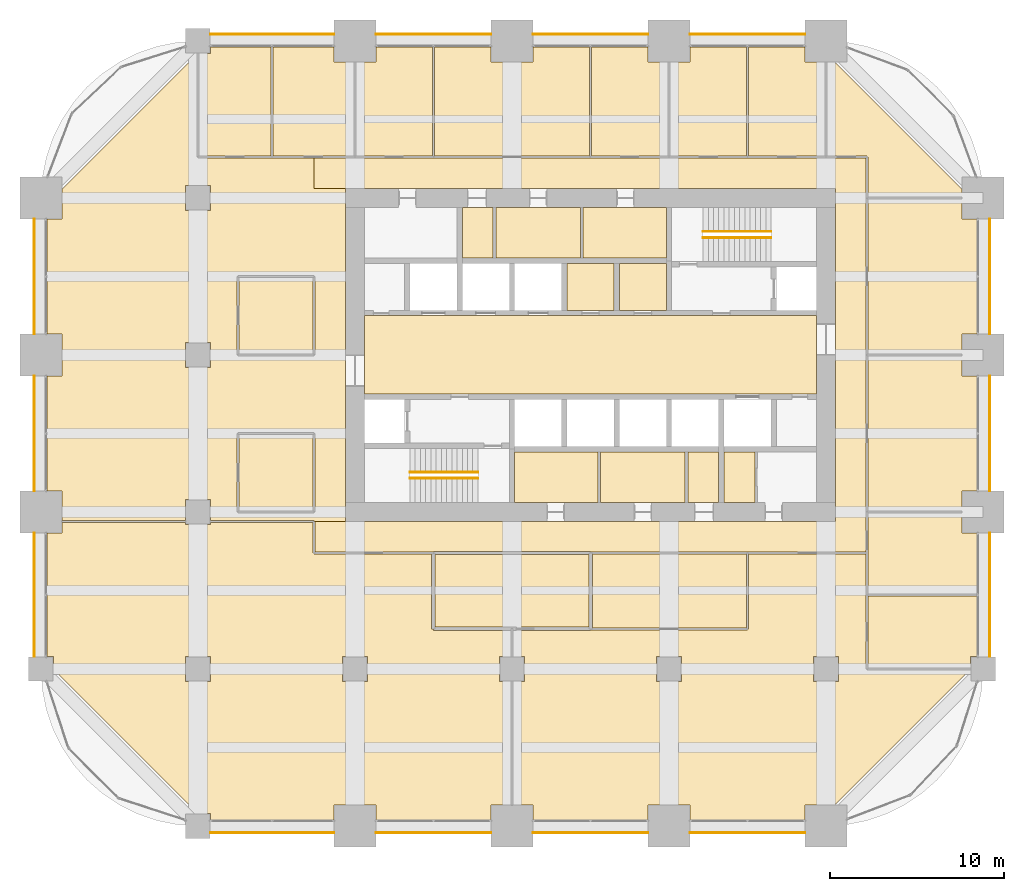
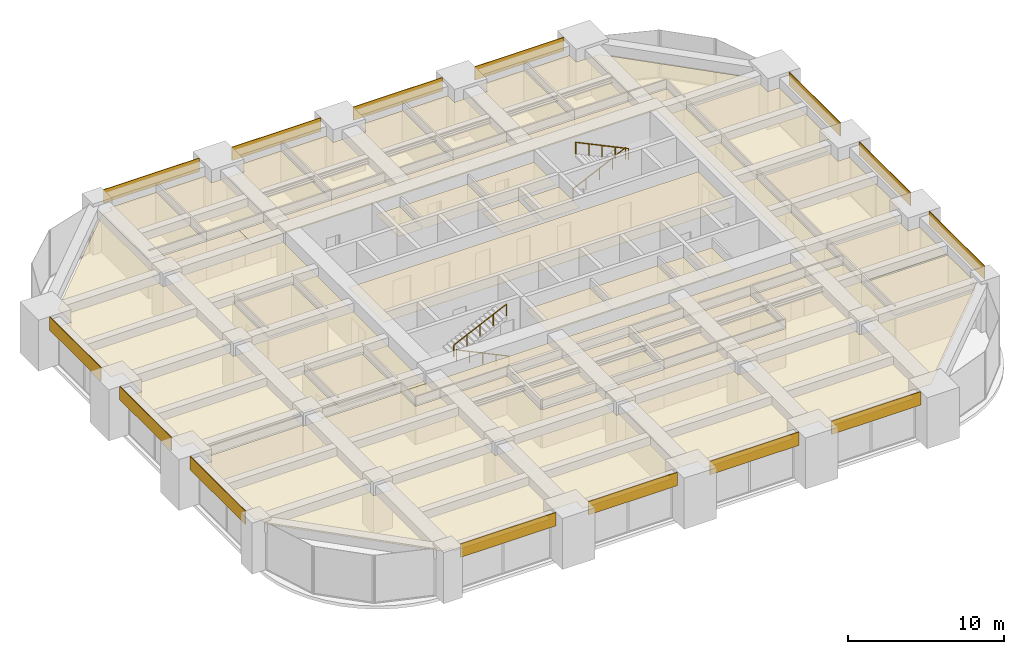
# One storey, part 32 of 32: 44 coverings, 4 railings.
"""IFC4 building model written with IfcOpenShell, lengths in metres."""

from ifc_helpers import new_model, si_unit, direction, frame, frame_2d, origin, origin_2d, place, context, subcontext, project, spatial, polyline, rectangle, circle, outline, extrude, material, layer, layer_set, type_object, element, save


model = new_model("IFC4")

# Units and contexts
model_context = context("Model", 3, precision=1e-05, world=origin(), true_north=direction((0.0, 1.0)))
body_context = subcontext(model_context, "Body", "Model", "MODEL_VIEW")
ifc_project = project(units=[si_unit("LENGTHUNIT", "METRE"), si_unit("AREAUNIT", "SQUARE_METRE"), si_unit("VOLUMEUNIT", "CUBIC_METRE"), si_unit("PLANEANGLEUNIT", "RADIAN"), si_unit("MASSUNIT", "GRAM", prefix="KILO")], contexts=[model_context])

# Site, building, storey
site_placement = place(None, origin())
site = spatial("IfcSite", under=ifc_project, at=site_placement, CompositionType="ELEMENT")
building_placement = place(site_placement, origin())
building = spatial("IfcBuilding", under=site, at=building_placement, Name="Zorevar Civic Tower", CompositionType="ELEMENT")
storey_placement = place(building_placement, frame((0.0, 0.0, 202.199951171875)))
storey = spatial("IfcBuildingStorey", under=building, at=storey_placement, Name="L49", CompositionType="ELEMENT", Elevation=202.199951171875)

# Railings
ifc_material_1 = material(Name="Black steel handrail", Category="steel")
railing_type = type_object("IfcRailingType", Name="Handrail HR1 900", PredefinedType="HANDRAIL", material=ifc_material_1)
railing_1_placement = place(storey_placement, frame((25.050048828125, 19.925048828125, 0.142822265625)))
element("IfcRailing", 1, at=railing_1_placement, inside=storey, type_object=railing_type, Name="Handrail HR1 ST1 L49", PredefinedType="HANDRAIL", context=body_context, shape_type="SweptSolid", body=[
    extrude(circle(Radius=0.02392578125, at=origin_2d()), frame((0.0, 0.0, 0.8759765625), z_axis=(-0.902863652845, 0.0, 0.429926998885), x_axis=(0.0, -1.0, 0.0)), (0.0, 0.0, 1.0), 4.31982421875),
    extrude(circle(Radius=0.02099609375, at=origin_2d()), origin(), (0.0, 0.0, 1.0), 0.851806640625),
    extrude(circle(Radius=0.02099609375, at=origin_2d()), frame((-0.97509765625, 0.0, 0.46435546875)), (0.0, 0.0, 1.0), 0.851806640625),
    extrude(circle(Radius=0.02099609375, at=origin_2d()), frame((-1.9501953125, 0.0, 0.9287109375)), (0.0, 0.0, 1.0), 0.851806640625),
    extrude(circle(Radius=0.02099609375, at=origin_2d()), frame((-2.925048828125, 0.0, 1.392822265625)), (0.0, 0.0, 1.0), 0.851806640625),
    extrude(circle(Radius=0.02099609375, at=origin_2d()), frame((-3.900146484375, 0.0, 1.857177734375)), (0.0, 0.0, 1.0), 0.851806640625),
])
for number, where, name in (
    (2, (21.14990234375, 20.27490234375, 2.142822265625), "Handrail HR1 ST1 L49"),
    (3, (37.949951171875, 34.074951171875, 0.142822265625), "Handrail HR1 ST2 L49"),
):
    element("IfcRailing", number, at=place(storey_placement, frame(where)), inside=storey, type_object=railing_type, Name=name, PredefinedType="HANDRAIL", context=body_context, shape_type="SweptSolid", body=[
        extrude(circle(Radius=0.02392578125, at=origin_2d()), frame((0.0, 0.0, 0.8759765625), z_axis=(0.902863652845, 0.0, 0.429926998885), x_axis=(0.0, 1.0, 0.0)), (0.0, 0.0, 1.0), 4.31982421875),
        extrude(circle(Radius=0.02099609375, at=origin_2d()), origin(), (0.0, 0.0, 1.0), 0.851806640625),
        extrude(circle(Radius=0.02099609375, at=origin_2d()), frame((0.97509765625, 0.0, 0.46435546875)), (0.0, 0.0, 1.0), 0.851806640625),
        extrude(circle(Radius=0.02099609375, at=origin_2d()), frame((1.9501953125, 0.0, 0.9287109375)), (0.0, 0.0, 1.0), 0.851806640625),
        extrude(circle(Radius=0.02099609375, at=origin_2d()), frame((2.925048828125, 0.0, 1.392822265625)), (0.0, 0.0, 1.0), 0.851806640625),
        extrude(circle(Radius=0.02099609375, at=origin_2d()), frame((3.900146484375, 0.0, 1.857177734375)), (0.0, 0.0, 1.0), 0.851806640625),
    ])
railing_2_placement = place(storey_placement, frame((41.85009765625, 33.72509765625, 2.142822265625)))
element("IfcRailing", 4, at=railing_2_placement, inside=storey, type_object=railing_type, Name="Handrail HR1 ST2 L49", PredefinedType="HANDRAIL", context=body_context, shape_type="SweptSolid", body=[
    extrude(circle(Radius=0.02392578125, at=origin_2d()), frame((0.0, 0.0, 0.8759765625), z_axis=(-0.902863652845, 0.0, 0.429926998885), x_axis=(0.0, -1.0, 0.0)), (0.0, 0.0, 1.0), 4.31982421875),
    extrude(circle(Radius=0.02099609375, at=origin_2d()), origin(), (0.0, 0.0, 1.0), 0.851806640625),
    extrude(circle(Radius=0.02099609375, at=origin_2d()), frame((-0.97509765625, 0.0, 0.46435546875)), (0.0, 0.0, 1.0), 0.851806640625),
    extrude(circle(Radius=0.02099609375, at=origin_2d()), frame((-1.9501953125, 0.0, 0.9287109375)), (0.0, 0.0, 1.0), 0.851806640625),
    extrude(circle(Radius=0.02099609375, at=origin_2d()), frame((-2.925048828125, 0.0, 1.392822265625)), (0.0, 0.0, 1.0), 0.851806640625),
    extrude(circle(Radius=0.02099609375, at=origin_2d()), frame((-3.900146484375, 0.0, 1.857177734375)), (0.0, 0.0, 1.0), 0.851806640625),
])

# Coverings
ifc_material_2 = material(Name="Moisture-resistant gypsum board")
ifc_layer_1 = layer(ifc_material_2, 0.012451171875)
ifc_layer_set_1 = layer_set([ifc_layer_1], Name="Moisture-resistant ceiling SC3")
covering_type_1 = type_object("IfcCoveringType", Name="Moisture-resistant ceiling SC3", PredefinedType="CEILING", material=ifc_layer_set_1)
covering_1_placement = place(storey_placement, frame((0.0, 0.0, 3.0)))
element("IfcCovering", 5, at=covering_1_placement, inside=storey, type_object=covering_type_1, Name="Ceiling L49-05", PredefinedType="CEILING", context=body_context, shape_type="SweptSolid", body=[
    extrude(outline(polyline([(31.925048828125, 18.550048828125), (31.925048828125, 21.449951171875), (27.14990234375, 21.449951171875), (27.14990234375, 18.550048828125), (31.925048828125, 18.550048828125)])), origin(), (0.0, 0.0, 1.0), 0.012451171875),
])
covering_2_placement = place(storey_placement, frame((0.0, 0.0, 3.0)))
element("IfcCovering", 6, at=covering_2_placement, inside=storey, type_object=covering_type_1, Name="Ceiling L49-06", PredefinedType="CEILING", context=body_context, shape_type="SweptSolid", body=[
    extrude(outline(polyline([(36.925048828125, 18.550048828125), (36.925048828125, 21.449951171875), (32.074951171875, 21.449951171875), (32.074951171875, 18.550048828125), (36.925048828125, 18.550048828125)])), origin(), (0.0, 0.0, 1.0), 0.012451171875),
])
covering_3_placement = place(storey_placement, frame((0.0, 0.0, 3.0)))
element("IfcCovering", 7, at=covering_3_placement, inside=storey, type_object=covering_type_1, Name="Ceiling L49-07", PredefinedType="CEILING", context=body_context, shape_type="SweptSolid", body=[
    extrude(outline(polyline([(38.85009765625, 18.550048828125), (38.85009765625, 21.449951171875), (37.074951171875, 21.449951171875), (37.074951171875, 18.550048828125), (38.85009765625, 18.550048828125)])), origin(), (0.0, 0.0, 1.0), 0.012451171875),
])
covering_4_placement = place(storey_placement, frame((0.0, 0.0, 3.0)))
element("IfcCovering", 8, at=covering_4_placement, inside=storey, type_object=covering_type_1, Name="Ceiling L49-08", PredefinedType="CEILING", context=body_context, shape_type="SweptSolid", body=[
    extrude(outline(polyline([(35.85009765625, 32.550048828125), (35.85009765625, 35.449951171875), (31.074951171875, 35.449951171875), (31.074951171875, 32.550048828125), (35.85009765625, 32.550048828125)])), origin(), (0.0, 0.0, 1.0), 0.012451171875),
])
covering_5_placement = place(storey_placement, frame((0.0, 0.0, 3.0)))
element("IfcCovering", 9, at=covering_5_placement, inside=storey, type_object=covering_type_1, Name="Ceiling L49-09", PredefinedType="CEILING", context=body_context, shape_type="SweptSolid", body=[
    extrude(outline(polyline([(30.925048828125, 32.550048828125), (30.925048828125, 35.449951171875), (26.074951171875, 35.449951171875), (26.074951171875, 32.550048828125), (30.925048828125, 32.550048828125)])), origin(), (0.0, 0.0, 1.0), 0.012451171875),
])
covering_6_placement = place(storey_placement, frame((0.0, 0.0, 3.0)))
element("IfcCovering", 10, at=covering_6_placement, inside=storey, type_object=covering_type_1, Name="Ceiling L49-10", PredefinedType="CEILING", context=body_context, shape_type="SweptSolid", body=[
    extrude(outline(polyline([(25.925048828125, 32.550048828125), (25.925048828125, 35.449951171875), (24.14990234375, 35.449951171875), (24.14990234375, 32.550048828125), (25.925048828125, 32.550048828125)])), origin(), (0.0, 0.0, 1.0), 0.012451171875),
])
ifc_material_3 = material(Name="Black anodised aluminium spandrel panel", Category="aluminium")
ifc_layer_2 = layer(ifc_material_3, 0.050048828125)
ifc_layer_set_2 = layer_set([ifc_layer_2], Name="Spandrel cladding SP1")
covering_type_2 = type_object("IfcCoveringType", Name="Spandrel cladding SP1", PredefinedType="CLADDING", material=ifc_layer_set_2)
covering_7_placement = place(storey_placement, frame((9.699951171875, -0.375, 2.949951171875), z_axis=(0.0, 0.0, 1.0), x_axis=(1.0, 0.0, 0.0)))
element("IfcCovering", 11, at=covering_7_placement, inside=storey, type_object=covering_type_2, Name="Spandrel cladding L50", PredefinedType="CLADDING", context=body_context, shape_type="SweptSolid", body=[
    extrude(rectangle(XDim=7.10009765625, YDim=0.050048828125, at=frame_2d((3.550048828125, 0.0))), origin(), (0.0, 0.0, 1.0), 1.050048828125),
])
for number, where, z_axis, x_axis, name in (
    (12, (19.199951171875, -0.375, 2.949951171875), (0.0, 0.0, 1.0), (1.0, 0.0, 0.0), "Spandrel cladding L50"),
    (13, (28.199951171875, -0.375, 2.949951171875), (0.0, 0.0, 1.0), (1.0, 0.0, 0.0), "Spandrel cladding L50"),
    (14, (37.199951171875, -0.375, 2.949951171875), (0.0, 0.0, 1.0), (1.0, 0.0, 0.0), "Spandrel cladding L50"),
):
    element("IfcCovering", number, at=place(storey_placement, frame(where, z_axis=z_axis, x_axis=x_axis)), inside=storey, type_object=covering_type_2, Name=name, PredefinedType="CLADDING", context=body_context, shape_type="SweptSolid", body=[
        extrude(rectangle(XDim=6.60009765625, YDim=0.050048828125, at=frame_2d((3.300048828125, 0.0))), origin(), (0.0, 0.0, 1.0), 1.050048828125),
    ])
covering_8_placement = place(storey_placement, frame((9.699951171875, 45.375, 2.949951171875), z_axis=(0.0, 0.0, 1.0), x_axis=(1.0, 0.0, 0.0)))
element("IfcCovering", 15, at=covering_8_placement, inside=storey, type_object=covering_type_2, Name="Spandrel cladding L50", PredefinedType="CLADDING", context=body_context, shape_type="SweptSolid", body=[
    extrude(rectangle(XDim=7.10009765625, YDim=0.050048828125, at=frame_2d((3.550048828125, 0.0))), origin(), (0.0, 0.0, 1.0), 1.050048828125),
])
for number, where, z_axis, x_axis, name in (
    (16, (19.199951171875, 45.375, 2.949951171875), (0.0, 0.0, 1.0), (1.0, 0.0, 0.0), "Spandrel cladding L50"),
    (17, (28.199951171875, 45.375, 2.949951171875), (0.0, 0.0, 1.0), (1.0, 0.0, 0.0), "Spandrel cladding L50"),
    (18, (37.199951171875, 45.375, 2.949951171875), (0.0, 0.0, 1.0), (1.0, 0.0, 0.0), "Spandrel cladding L50"),
):
    element("IfcCovering", number, at=place(storey_placement, frame(where, z_axis=z_axis, x_axis=x_axis)), inside=storey, type_object=covering_type_2, Name=name, PredefinedType="CLADDING", context=body_context, shape_type="SweptSolid", body=[
        extrude(rectangle(XDim=6.60009765625, YDim=0.050048828125, at=frame_2d((3.300048828125, 0.0))), origin(), (0.0, 0.0, 1.0), 1.050048828125),
    ])
covering_9_placement = place(storey_placement, frame((-0.375, 9.699951171875, 2.949951171875), z_axis=(0.0, 0.0, 1.0), x_axis=(0.0, 1.0, 0.0)))
element("IfcCovering", 19, at=covering_9_placement, inside=storey, type_object=covering_type_2, Name="Spandrel cladding L50", PredefinedType="CLADDING", context=body_context, shape_type="SweptSolid", body=[
    extrude(rectangle(XDim=7.10009765625, YDim=0.050048828125, at=frame_2d((3.550048828125, 0.0))), origin(), (0.0, 0.0, 1.0), 1.050048828125),
])
for number, where, z_axis, x_axis, name in (
    (20, (-0.375, 19.199951171875, 2.949951171875), (0.0, 0.0, 1.0), (0.0, 1.0, 0.0), "Spandrel cladding L50"),
    (21, (-0.375, 28.199951171875, 2.949951171875), (0.0, 0.0, 1.0), (0.0, 1.0, 0.0), "Spandrel cladding L50"),
):
    element("IfcCovering", number, at=place(storey_placement, frame(where, z_axis=z_axis, x_axis=x_axis)), inside=storey, type_object=covering_type_2, Name=name, PredefinedType="CLADDING", context=body_context, shape_type="SweptSolid", body=[
        extrude(rectangle(XDim=6.60009765625, YDim=0.050048828125, at=frame_2d((3.300048828125, 0.0))), origin(), (0.0, 0.0, 1.0), 1.050048828125),
    ])
covering_10_placement = place(storey_placement, frame((54.375, 9.699951171875, 2.949951171875), z_axis=(0.0, 0.0, 1.0), x_axis=(0.0, 1.0, 0.0)))
element("IfcCovering", 22, at=covering_10_placement, inside=storey, type_object=covering_type_2, Name="Spandrel cladding L50", PredefinedType="CLADDING", context=body_context, shape_type="SweptSolid", body=[
    extrude(rectangle(XDim=7.10009765625, YDim=0.050048828125, at=frame_2d((3.550048828125, 0.0))), origin(), (0.0, 0.0, 1.0), 1.050048828125),
])
for number, where, z_axis, x_axis, name in (
    (23, (54.375, 19.199951171875, 2.949951171875), (0.0, 0.0, 1.0), (0.0, 1.0, 0.0), "Spandrel cladding L50"),
    (24, (54.375, 28.199951171875, 2.949951171875), (0.0, 0.0, 1.0), (0.0, 1.0, 0.0), "Spandrel cladding L50"),
):
    element("IfcCovering", number, at=place(storey_placement, frame(where, z_axis=z_axis, x_axis=x_axis)), inside=storey, type_object=covering_type_2, Name=name, PredefinedType="CLADDING", context=body_context, shape_type="SweptSolid", body=[
        extrude(rectangle(XDim=6.60009765625, YDim=0.050048828125, at=frame_2d((3.300048828125, 0.0))), origin(), (0.0, 0.0, 1.0), 1.050048828125),
    ])
ifc_material_4 = material(Name="Mineral fibre tiles on a concealed grid")
ifc_layer_3 = layer(ifc_material_4, 0.02001953125)
ifc_layer_set_3 = layer_set([ifc_layer_3], Name="Suspended ceiling SC1")
covering_type_3 = type_object("IfcCoveringType", Name="Suspended ceiling SC1", PredefinedType="CEILING", material=ifc_layer_set_3)
covering_11_placement = place(storey_placement, frame((0.0, 0.0, 3.0)))
element("IfcCovering", 25, at=covering_11_placement, inside=storey, type_object=covering_type_3, Name="Ceiling L49-11", PredefinedType="CEILING", context=body_context, shape_type="SweptSolid", body=[
    extrude(outline(polyline([(40.93994140625, 18.550048828125), (40.93994140625, 21.449951171875), (39.14990234375, 21.449951171875), (39.14990234375, 18.550048828125), (40.93994140625, 18.550048828125)])), origin(), (0.0, 0.0, 1.0), 0.02001953125),
])
covering_12_placement = place(storey_placement, frame((0.0, 0.0, 3.0)))
element("IfcCovering", 26, at=covering_12_placement, inside=storey, type_object=covering_type_3, Name="Ceiling L49-16", PredefinedType="CEILING", context=body_context, shape_type="SweptSolid", body=[
    extrude(outline(polyline([(44.449951171875, 24.75), (44.449951171875, 29.25), (18.550048828125, 29.25), (18.550048828125, 24.75), (44.449951171875, 24.75)])), origin(), (0.0, 0.0, 1.0), 0.02001953125),
])
covering_13_placement = place(storey_placement, frame((0.0, 0.0, 3.0)))
element("IfcCovering", 27, at=covering_13_placement, inside=storey, type_object=covering_type_3, Name="Ceiling L49-17", PredefinedType="CEILING", context=body_context, shape_type="SweptSolid", body=[
    extrude(outline(polyline([(35.85009765625, 29.550048828125), (35.85009765625, 32.25), (33.14990234375, 32.25), (33.14990234375, 29.550048828125), (35.85009765625, 29.550048828125)])), origin(), (0.0, 0.0, 1.0), 0.02001953125),
])
covering_14_placement = place(storey_placement, frame((0.0, 0.0, 3.0)))
element("IfcCovering", 28, at=covering_14_placement, inside=storey, type_object=covering_type_3, Name="Ceiling L49-18", PredefinedType="CEILING", context=body_context, shape_type="SweptSolid", body=[
    extrude(outline(polyline([(32.85009765625, 29.550048828125), (32.85009765625, 32.25), (30.14990234375, 32.25), (30.14990234375, 29.550048828125), (32.85009765625, 29.550048828125)])), origin(), (0.0, 0.0, 1.0), 0.02001953125),
])
covering_15_placement = place(storey_placement, frame((0.0, 0.0, 3.0)))
element("IfcCovering", 29, at=covering_15_placement, inside=storey, type_object=covering_type_3, Name="Ceiling L49-19", PredefinedType="CEILING", context=body_context, shape_type="SweptSolid", body=[
    extrude(outline(polyline([(9.06005859375, 38.409912109375), (9.06005859375, 44.2900390625), (9.7099609375, 44.2900390625), (9.7099609375, 44.64990234375), (13.18994140625, 44.64990234375), (13.18994140625, 38.409912109375), (9.06005859375, 38.409912109375)])), origin(), (0.0, 0.0, 1.0), 0.02001953125),
])
covering_16_placement = place(storey_placement, frame((0.0, 0.0, 3.0)))
element("IfcCovering", 30, at=covering_16_placement, inside=storey, type_object=covering_type_3, Name="Ceiling L49-20", PredefinedType="CEILING", context=body_context, shape_type="SweptSolid", body=[
    extrude(outline(polyline([(13.31005859375, 38.409912109375), (13.31005859375, 44.64990234375), (16.7900390625, 44.64990234375), (16.7900390625, 43.7900390625), (17.93994140625, 43.7900390625), (17.93994140625, 38.409912109375), (13.31005859375, 38.409912109375)])), origin(), (0.0, 0.0, 1.0), 0.02001953125),
])
covering_17_placement = place(storey_placement, frame((0.0, 0.0, 3.0)))
element("IfcCovering", 31, at=covering_17_placement, inside=storey, type_object=covering_type_3, Name="Ceiling L49-21", PredefinedType="CEILING", context=body_context, shape_type="SweptSolid", body=[
    extrude(outline(polyline([(18.06005859375, 38.409912109375), (18.06005859375, 43.7900390625), (19.2099609375, 43.7900390625), (19.2099609375, 44.64990234375), (22.43994140625, 44.64990234375), (22.43994140625, 38.409912109375), (18.06005859375, 38.409912109375)])), origin(), (0.0, 0.0, 1.0), 0.02001953125),
])
covering_18_placement = place(storey_placement, frame((0.0, 0.0, 3.0)))
element("IfcCovering", 32, at=covering_18_placement, inside=storey, type_object=covering_type_3, Name="Ceiling L49-22", PredefinedType="CEILING", context=body_context, shape_type="SweptSolid", body=[
    extrude(outline(polyline([(22.56005859375, 38.409912109375), (22.56005859375, 44.64990234375), (25.7900390625, 44.64990234375), (25.7900390625, 43.7900390625), (28.2099609375, 43.7900390625), (28.2099609375, 44.64990234375), (31.43994140625, 44.64990234375), (31.43994140625, 38.409912109375), (22.56005859375, 38.409912109375)])), origin(), (0.0, 0.0, 1.0), 0.02001953125),
])
covering_19_placement = place(storey_placement, frame((0.0, 0.0, 3.0)))
element("IfcCovering", 33, at=covering_19_placement, inside=storey, type_object=covering_type_3, Name="Ceiling L49-23", PredefinedType="CEILING", context=body_context, shape_type="SweptSolid", body=[
    extrude(outline(polyline([(31.56005859375, 38.409912109375), (31.56005859375, 44.64990234375), (34.7900390625, 44.64990234375), (34.7900390625, 43.7900390625), (35.93994140625, 43.7900390625), (35.93994140625, 38.409912109375), (31.56005859375, 38.409912109375)])), origin(), (0.0, 0.0, 1.0), 0.02001953125),
])
covering_20_placement = place(storey_placement, frame((0.0, 0.0, 3.0)))
element("IfcCovering", 34, at=covering_20_placement, inside=storey, type_object=covering_type_3, Name="Ceiling L49-24", PredefinedType="CEILING", context=body_context, shape_type="SweptSolid", body=[
    extrude(outline(polyline([(36.06005859375, 38.409912109375), (36.06005859375, 43.7900390625), (37.2099609375, 43.7900390625), (37.2099609375, 44.64990234375), (40.43994140625, 44.64990234375), (40.43994140625, 38.409912109375), (36.06005859375, 38.409912109375)])), origin(), (0.0, 0.0, 1.0), 0.02001953125),
])
covering_21_placement = place(storey_placement, frame((0.0, 0.0, 3.0)))
element("IfcCovering", 35, at=covering_21_placement, inside=storey, type_object=covering_type_3, Name="Ceiling L49-25", PredefinedType="CEILING", context=body_context, shape_type="SweptSolid", body=[
    extrude(outline(polyline([(40.56005859375, 38.409912109375), (40.56005859375, 44.64990234375), (43.7900390625, 44.64990234375), (43.7900390625, 43.7900390625), (44.93994140625, 43.7900390625), (44.93994140625, 38.409912109375), (40.56005859375, 38.409912109375)])), origin(), (0.0, 0.0, 1.0), 0.02001953125),
])
covering_22_placement = place(storey_placement, frame((0.0, 0.0, 3.0)))
element("IfcCovering", 36, at=covering_22_placement, inside=storey, type_object=covering_type_3, Name="Ceiling L49-26", PredefinedType="CEILING", context=body_context, shape_type="SweptSolid", body=[
    extrude(outline(polyline([(31.39990234375, 15.550048828125), (31.39990234375, 11.39990234375), (22.60009765625, 11.39990234375), (22.60009765625, 15.550048828125), (31.39990234375, 15.550048828125)])), origin(), (0.0, 0.0, 1.0), 0.02001953125),
])
covering_23_placement = place(storey_placement, frame((0.0, 0.0, 3.0)))
element("IfcCovering", 37, at=covering_23_placement, inside=storey, type_object=covering_type_3, Name="Ceiling L49-27", PredefinedType="CEILING", context=body_context, shape_type="SweptSolid", body=[
    extrude(outline(polyline([(31.60009765625, 15.590087890625), (40.43994140625, 15.590087890625), (40.43994140625, 11.35009765625), (31.60009765625, 11.35009765625), (31.60009765625, 15.590087890625)])), origin(), (0.0, 0.0, 1.0), 0.02001953125),
])
covering_24_placement = place(storey_placement, frame((0.0, 0.0, 3.0)))
element("IfcCovering", 38, at=covering_24_placement, inside=storey, type_object=covering_type_3, Name="Ceiling L49-28", PredefinedType="CEILING", context=body_context, shape_type="SweptSolid", body=[
    extrude(outline(polyline([(47.409912109375, 13.18994140625), (53.64990234375, 13.18994140625), (53.64990234375, 9.7099609375), (53.2900390625, 9.7099609375), (53.2900390625, 9.06005859375), (47.409912109375, 9.06005859375), (47.409912109375, 13.18994140625)])), origin(), (0.0, 0.0, 1.0), 0.02001953125),
])
covering_25_placement = place(storey_placement, frame((0.0, 0.0, 3.0)))
element("IfcCovering", 39, at=covering_25_placement, inside=storey, type_object=covering_type_3, Name="Ceiling L49-29", PredefinedType="CEILING", context=body_context, shape_type="SweptSolid", body=[
    extrude(outline(polyline([(47.409912109375, 17.93994140625), (52.7900390625, 17.93994140625), (52.7900390625, 16.7900390625), (53.64990234375, 16.7900390625), (53.64990234375, 13.31005859375), (47.409912109375, 13.31005859375), (47.409912109375, 17.93994140625)])), origin(), (0.0, 0.0, 1.0), 0.02001953125),
])
covering_26_placement = place(storey_placement, frame((0.0, 0.0, 3.0)))
element("IfcCovering", 40, at=covering_26_placement, inside=storey, type_object=covering_type_3, Name="Ceiling L49-30", PredefinedType="CEILING", context=body_context, shape_type="SweptSolid", body=[
    extrude(outline(polyline([(53.64990234375, 28.2099609375), (52.7900390625, 28.2099609375), (52.7900390625, 27.06005859375), (47.409912109375, 27.06005859375), (47.409912109375, 35.93994140625), (52.7900390625, 35.93994140625), (52.7900390625, 34.7900390625), (53.64990234375, 34.7900390625), (53.64990234375, 28.2099609375)])), origin(), (0.0, 0.0, 1.0), 0.02001953125),
])
covering_27_placement = place(storey_placement, frame((0.0, 0.0, 3.0)))
element("IfcCovering", 41, at=covering_27_placement, inside=storey, type_object=covering_type_3, Name="Ceiling L49-31", PredefinedType="CEILING", context=body_context, shape_type="SweptSolid", body=[
    extrude(outline(polyline([(15.590087890625, 18.06005859375), (11.360107421875, 18.06005859375), (11.360107421875, 22.43994140625), (15.590087890625, 22.43994140625), (15.590087890625, 18.06005859375)])), origin(), (0.0, 0.0, 1.0), 0.02001953125),
])
covering_28_placement = place(storey_placement, frame((0.0, 0.0, 3.0)))
element("IfcCovering", 42, at=covering_28_placement, inside=storey, type_object=covering_type_3, Name="Ceiling L49-32", PredefinedType="CEILING", context=body_context, shape_type="SweptSolid", body=[
    extrude(outline(polyline([(11.360107421875, 31.43994140625), (15.590087890625, 31.43994140625), (15.590087890625, 27.06005859375), (11.360107421875, 27.06005859375), (11.360107421875, 31.43994140625)])), origin(), (0.0, 0.0, 1.0), 0.02001953125),
])
covering_29_placement = place(storey_placement, frame((0.0, 0.0, 3.0)))
element("IfcCovering", 43, at=covering_29_placement, inside=storey, type_object=covering_type_3, Name="Ceiling L49-33", PredefinedType="CEILING", context=body_context, shape_type="SweptSolid", body=[
    extrude(outline(polyline([(15.64990234375, 38.2900390625), (45.0, 38.2900390625), (45.0, 38.300048828125), (47.300048828125, 38.300048828125), (47.300048828125, 36.0), (47.2900390625, 36.0), (47.2900390625, 27.0), (47.300048828125, 27.0), (47.300048828125, 18.0), (47.2900390625, 18.0), (47.2900390625, 15.699951171875), (40.5, 15.699951171875), (40.5, 15.7099609375), (31.5, 15.7099609375), (31.5, 15.75), (22.5, 15.75), (22.5, 15.699951171875), (15.699951171875, 15.699951171875), (15.699951171875, 17.449951171875), (45.550048828125, 17.449951171875), (45.550048828125, 36.550048828125), (15.64990234375, 36.550048828125), (15.64990234375, 38.2900390625)])), origin(), (0.0, 0.0, 1.0), 0.02001953125),
])
covering_30_placement = place(storey_placement, frame((0.0, 0.0, 3.0)))
element("IfcCovering", 44, at=covering_30_placement, inside=storey, type_object=covering_type_3, Name="Ceiling L49-34", PredefinedType="CEILING", context=body_context, shape_type="SweptSolid", body=[
    extrude(outline(polyline([(53.64990234375, 19.2099609375), (52.7900390625, 19.2099609375), (52.7900390625, 18.06005859375), (47.39990234375, 18.06005859375), (47.39990234375, 26.93994140625), (52.7900390625, 26.93994140625), (52.7900390625, 25.7900390625), (53.64990234375, 25.7900390625), (53.64990234375, 19.2099609375)])), origin(), (0.0, 0.0, 1.0), 0.02001953125),
])
covering_31_placement = place(storey_placement, frame((0.0, 0.0, 3.0)))
element("IfcCovering", 45, at=covering_31_placement, inside=storey, type_object=covering_type_3, Name="Ceiling L49-35", PredefinedType="CEILING", context=body_context, shape_type="SweptSolid", body=[
    extrude(outline(polyline([(47.3505859375, 38.40087890625), (45.06103515625, 38.40087890625), (45.06103515625, 43.7900390625), (45.5029296875, 43.7900390625), (52.7900390625, 36.5029296875), (52.7900390625, 36.06005859375), (47.39990234375, 36.06005859375), (47.40087890625, 38.35009765625), (47.35107421875, 38.35107421875), (47.3505859375, 38.40087890625)])), origin(), (0.0, 0.0, 1.0), 0.02001953125),
])
covering_32_placement = place(storey_placement, frame((0.0, 0.0, 3.0)))
element("IfcCovering", 46, at=covering_32_placement, inside=storey, type_object=covering_type_3, Name="Ceiling L49-36", PredefinedType="CEILING", context=body_context, shape_type="SweptSolid", body=[
    extrude(outline(polyline([(8.2900390625, 17.2900390625), (9.7099609375, 17.2900390625), (9.7099609375, 17.39990234375), (15.60009765625, 17.39990234375), (15.60009765625, 15.64990234375), (15.64990234375, 15.64990234375), (15.64990234375, 15.60009765625), (22.39990234375, 15.60009765625), (22.39990234375, 11.300048828125), (22.5, 11.300048828125), (22.5, 11.199951171875), (26.949951171875, 11.199951171875), (26.949951171875, 9.7099609375), (26.2900390625, 9.7099609375), (26.2900390625, 8.2900390625), (26.949951171875, 8.2900390625), (26.949951171875, 1.2099609375), (25.7900390625, 1.2099609375), (25.7900390625, 0.35009765625), (19.2099609375, 0.35009765625), (19.2099609375, 1.2099609375), (16.7900390625, 1.2099609375), (16.7900390625, 0.35009765625), (9.7099609375, 0.35009765625), (9.7099609375, 0.7099609375), (8.9970703125, 0.7099609375), (0.7099609375, 8.9970703125), (0.7099609375, 9.7099609375), (0.35009765625, 9.7099609375), (0.35009765625, 16.7900390625), (1.2099609375, 16.7900390625), (1.2099609375, 17.39990234375), (8.2900390625, 17.39990234375), (8.2900390625, 17.2900390625)]), holes=[polyline([(8.2900390625, 8.2900390625), (9.7099609375, 8.2900390625), (9.7099609375, 9.7099609375), (8.2900390625, 9.7099609375), (8.2900390625, 8.2900390625)]), polyline([(18.7099609375, 8.2900390625), (18.7099609375, 9.7099609375), (17.2900390625, 9.7099609375), (17.2900390625, 8.2900390625), (18.7099609375, 8.2900390625)])]), origin(), (0.0, 0.0, 1.0), 0.02001953125),
])
covering_33_placement = place(storey_placement, frame((0.0, 0.0, 3.0)))
element("IfcCovering", 47, at=covering_33_placement, inside=storey, type_object=covering_type_3, Name="Ceiling L49-37", PredefinedType="CEILING", context=body_context, shape_type="SweptSolid", body=[
    extrude(outline(polyline([(43.7900390625, 1.2099609375), (43.7900390625, 0.35009765625), (37.2099609375, 0.35009765625), (37.2099609375, 1.2099609375), (34.7900390625, 1.2099609375), (34.7900390625, 0.35009765625), (28.2099609375, 0.35009765625), (28.2099609375, 1.2099609375), (27.050048828125, 1.2099609375), (27.050048828125, 8.2900390625), (27.7099609375, 8.2900390625), (27.7099609375, 9.7099609375), (27.050048828125, 9.7099609375), (27.050048828125, 11.199951171875), (31.5, 11.199951171875), (31.5, 11.25), (40.5, 11.25), (40.5, 11.300048828125), (40.56005859375, 11.300048828125), (40.56005859375, 15.60009765625), (47.2900390625, 15.60009765625), (47.2900390625, 9.0), (47.35009765625, 9.0), (47.35009765625, 8.93994140625), (53.23291015625, 8.93994140625), (45.5029296875, 1.2099609375), (43.7900390625, 1.2099609375)]), holes=[polyline([(36.7099609375, 9.7099609375), (35.2900390625, 9.7099609375), (35.2900390625, 8.2900390625), (36.7099609375, 8.2900390625), (36.7099609375, 9.7099609375)]), polyline([(44.2900390625, 8.2900390625), (45.7099609375, 8.2900390625), (45.7099609375, 9.7099609375), (44.2900390625, 9.7099609375), (44.2900390625, 8.2900390625)])]), origin(), (0.0, 0.0, 1.0), 0.02001953125),
])
covering_34_placement = place(storey_placement, frame((0.0, 0.0, 3.0)))
element("IfcCovering", 48, at=covering_34_placement, inside=storey, type_object=covering_type_3, Name="Ceiling L49-38", PredefinedType="CEILING", context=body_context, shape_type="SweptSolid", body=[
    extrude(outline(polyline([(8.93994140625, 38.35107421875), (9.0, 38.35009765625), (9.000244140625, 38.290283203125), (15.64990234375, 38.2900390625), (15.650390625, 36.54931640625), (17.448974609375, 36.549072265625), (17.448974609375, 17.450927734375), (15.65087890625, 17.450927734375), (15.64990234375, 17.5009765625), (9.7099609375, 17.5009765625), (9.7099609375, 18.7099609375), (8.2900390625, 18.7099609375), (8.2900390625, 17.5009765625), (1.2099609375, 17.5009765625), (1.2099609375, 19.2099609375), (0.35107421875, 19.2099609375), (0.35107421875, 25.7900390625), (1.2099609375, 25.7900390625), (1.2099609375, 28.2099609375), (0.35107421875, 28.2099609375), (0.35107421875, 34.7900390625), (1.2099609375, 34.7900390625), (1.2099609375, 36.5029296875), (8.93994140625, 44.23291015625), (8.93994140625, 38.35107421875)]), holes=[polyline([(15.650634765625, 22.560791015625), (11.300048828125, 22.56103515625), (11.299072265625, 22.5009765625), (11.2392578125, 22.500732421875), (11.2392578125, 17.999267578125), (11.299072265625, 17.9990234375), (11.300048828125, 17.93896484375), (15.64990234375, 17.93896484375), (15.65087890625, 17.9990234375), (15.710693359375, 17.999267578125), (15.7109375, 22.5), (15.65087890625, 22.5009765625), (15.650634765625, 22.560791015625)]), polyline([(15.650634765625, 31.560791015625), (11.300048828125, 31.56103515625), (11.299072265625, 31.5009765625), (11.2392578125, 31.500732421875), (11.2392578125, 26.999267578125), (11.299072265625, 26.9990234375), (11.300048828125, 26.93896484375), (15.64990234375, 26.93896484375), (15.65087890625, 26.9990234375), (15.710693359375, 26.999267578125), (15.7109375, 31.5), (15.65087890625, 31.5009765625), (15.650634765625, 31.560791015625)]), polyline([(9.7099609375, 26.2900390625), (9.7099609375, 27.7099609375), (8.2900390625, 27.7099609375), (8.2900390625, 26.2900390625), (9.7099609375, 26.2900390625)]), polyline([(8.2900390625, 35.2900390625), (9.7099609375, 35.2900390625), (9.7099609375, 36.7099609375), (8.2900390625, 36.7099609375), (8.2900390625, 35.2900390625)])]), origin(), (0.0, 0.0, 1.0), 0.02001953125),
])

save(model, "model.ifc")
